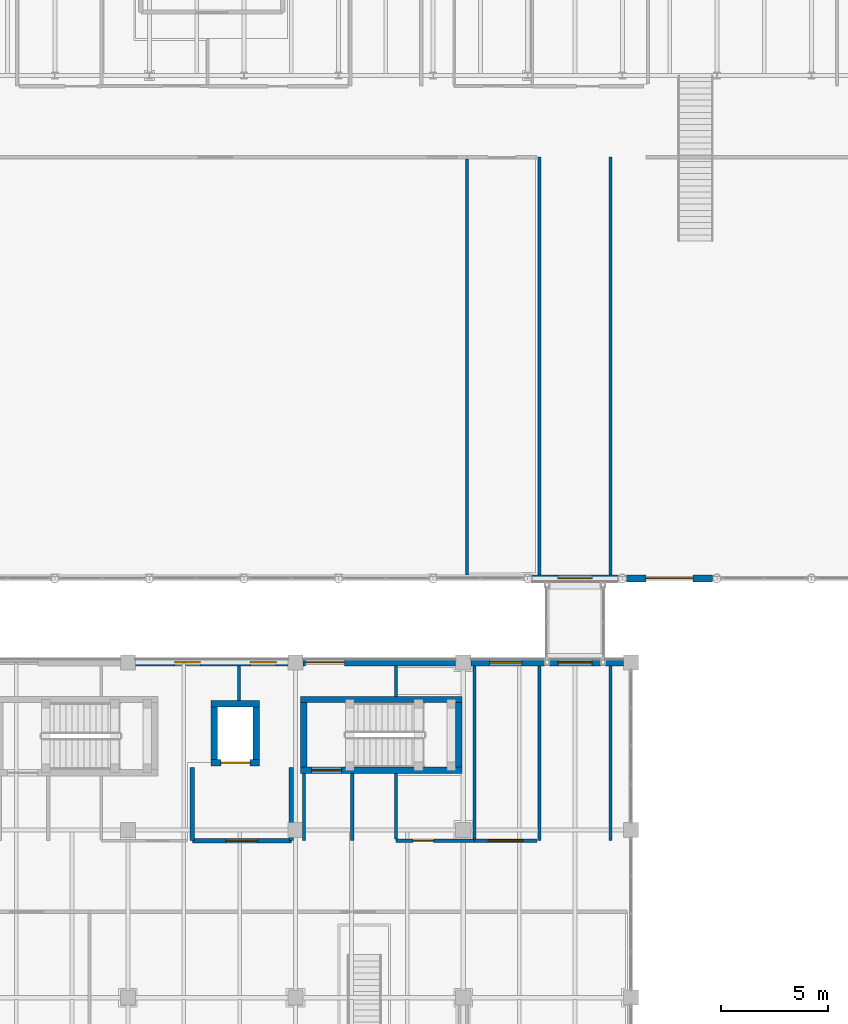
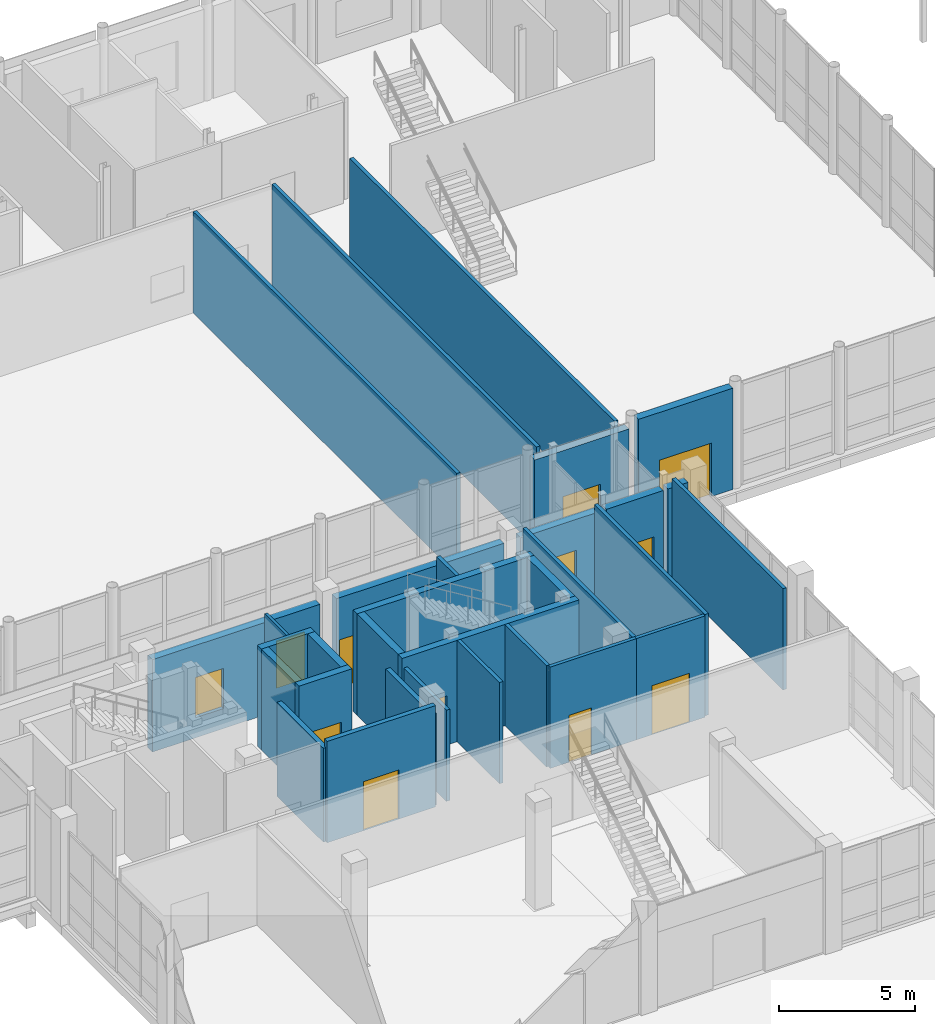
# One storey, part 96 of 131: 31 walls, 9 doors, 3 windows, 12 openings.
"""IFC4 building model written with IfcOpenShell, lengths in metres."""

from ifc_helpers import new_model, si_unit, direction, frame, frame_2d, origin, place, context, subcontext, project, spatial, rectangle, extrude, material, layer, layer_set, type_object, element, fill, save


model = new_model("IFC4")

# Units and contexts
model_context = context("Model", 3, precision=1e-05, world=origin(), true_north=direction((0.0, 1.0)))
body_context = subcontext(model_context, "Body", "Model", "MODEL_VIEW")
ifc_project = project(units=[si_unit("LENGTHUNIT", "METRE"), si_unit("AREAUNIT", "SQUARE_METRE"), si_unit("VOLUMEUNIT", "CUBIC_METRE"), si_unit("PLANEANGLEUNIT", "RADIAN"), si_unit("MASSUNIT", "GRAM", prefix="KILO")], contexts=[model_context])

# Site, building, storey
site_placement = place(None, origin())
site = spatial("IfcSite", under=ifc_project, at=site_placement, CompositionType="ELEMENT")
building_placement = place(site_placement, origin())
building = spatial("IfcBuilding", under=site, at=building_placement, Name="Celorna Specialist Clinic", CompositionType="ELEMENT")
storey_placement = place(building_placement, origin())
storey = spatial("IfcBuildingStorey", under=building, at=storey_placement, Name="L00", CompositionType="ELEMENT", Elevation=0.0)

# Wall, opening, door
ifc_material_1 = material(Name="Pero Pinheiro Lioz limestone insulated masonry", Category="masonry")
ifc_layer_1 = layer(ifc_material_1, 0.340087890625, Name="Pero Pinheiro Lioz limestone insulated masonry")
ifc_layer_set_1 = layer_set([ifc_layer_1], Name="Pero Pinheiro Lioz limestone insulated masonry")
wall_type_1 = type_object("IfcWallType", Name="WT-07", PredefinedType="STANDARD", material=ifc_layer_set_1)
wall_1_placement = place(storey_placement, frame((85.19677734375, 46.800048828125, 0.0), z_axis=(0.0, 0.0, 1.0), x_axis=(-1.0, 0.0, 0.0)))
wall_1 = element("IfcWall", 1, at=wall_1_placement, inside=storey, type_object=wall_type_1, Name="External facade wall WT-07 #78", PredefinedType="STANDARD", context=body_context, shape_type="SweptSolid", body=[
    extrude(rectangle(XDim=3.99365234375, YDim=0.340087890625, at=frame_2d((1.996826171875, 0.0))), origin(), (0.0, 0.0, 1.0), 4.260009765625),
])
opening_1_placement = place(wall_1_placement, frame((1.19677734375, 0.0, 0.0)))
opening_1 = element("IfcOpeningElement", 2, at=opening_1_placement, cuts=wall_1, Name="Opening DR-12", PredefinedType="OPENING", context=body_context, shape_type="SweptSolid", body=[
    extrude(rectangle(XDim=1.60009765625, YDim=2.199951171875, at=frame_2d((0.800048828125, 1.10009765625))), frame((0.0, 0.179931640625, 0.0), z_axis=(0.0, -1.0, 0.0), x_axis=(1.0, 0.0, 0.0)), (0.0, 0.0, 1.0), 0.360107421875),
])
ifc_material_2 = material(Name="Corridor cross-compartment pair door")
door_type_1 = type_object("IfcDoorType", Name="DR-12", OperationType="DOUBLE_DOOR_SINGLE_SWING", PredefinedType="DOOR", material=ifc_material_2)
door_1_placement = place(opening_1_placement, frame((1.60009765625, 0.0, 0.0), z_axis=(0.0, 0.0, 1.0), x_axis=(-1.0, 0.0, 0.0)))
door_1 = element("IfcDoor", 3, at=door_1_placement, inside=storey, type_object=door_type_1, Name="Bridge BR-03 north/east portal door L00", OperationType="DOUBLE_DOOR_SINGLE_SWING", OverallHeight=2.199951171875, OverallWidth=1.60009765625, PredefinedType="DOOR", context=body_context, shape_type="SweptSolid", body=[
    extrude(rectangle(XDim=1.60009765625, YDim=2.199951171875, at=frame_2d((0.800048828125, 1.10009765625))), frame((0.0, 0.02490234375, 0.0), z_axis=(0.0, -1.0, 0.0), x_axis=(1.0, 0.0, 0.0)), (0.0, 0.0, 1.0), 0.050048828125),
])
fill(opening_1, door_1)

wall_2_placement = place(storey_placement, frame((89.5966796875, 46.800048828125, 0.0), z_axis=(0.0, 0.0, 1.0), x_axis=(-1.0, 0.0, 0.0)))
wall_2 = element("IfcWall", 4, at=wall_2_placement, inside=storey, type_object=wall_type_1, Name="External facade wall WT-07 #79", PredefinedType="STANDARD", context=body_context, shape_type="SweptSolid", body=[
    extrude(rectangle(XDim=3.993408203125, YDim=0.340087890625, at=frame_2d((1.99658203125, 0.0))), origin(), (0.0, 0.0, 1.0), 4.5400390625),
])
opening_2_placement = place(wall_2_placement, frame((0.896728515625, 0.0, 0.0)))
opening_2 = element("IfcOpeningElement", 5, at=opening_2_placement, cuts=wall_2, Name="Opening DR-15", PredefinedType="OPENING", context=body_context, shape_type="SweptSolid", body=[
    extrude(rectangle(XDim=2.199951171875, YDim=2.39990234375, at=frame_2d((1.10009765625, 1.199951171875))), frame((0.0, 0.179931640625, 0.0), z_axis=(0.0, -1.0, 0.0), x_axis=(1.0, 0.0, 0.0)), (0.0, 0.0, 1.0), 0.360107421875),
])
ifc_material_3 = material(Name="Cloister entrance glazed double door")
door_type_2 = type_object("IfcDoorType", Name="DR-15", OperationType="DOUBLE_DOOR_SINGLE_SWING", PredefinedType="DOOR", material=ifc_material_3)
door_2_placement = place(opening_2_placement, origin())
door_2 = element("IfcDoor", 6, at=door_2_placement, inside=storey, type_object=door_type_2, Name="Cloister hall entrance E16", OperationType="DOUBLE_DOOR_SINGLE_SWING", OverallHeight=2.39990234375, OverallWidth=2.199951171875, PredefinedType="DOOR", context=body_context, shape_type="SweptSolid", body=[
    extrude(rectangle(XDim=2.199951171875, YDim=2.39990234375, at=frame_2d((1.10009765625, 1.199951171875))), frame((0.0, 0.02490234375, 0.0), z_axis=(0.0, -1.0, 0.0), x_axis=(1.0, 0.0, 0.0)), (0.0, 0.0, 1.0), 0.050048828125),
])
fill(opening_2, door_2)

# Wall, openings, windows
wall_3_placement = place(storey_placement, frame((62.75, 42.89990234375, 0.0), z_axis=(0.0, 0.0, 1.0), x_axis=(1.0, 0.0, 0.0)))
wall_3 = element("IfcWall", 7, at=wall_3_placement, inside=storey, type_object=wall_type_1, Name="External facade wall WT-07 #381", PredefinedType="STANDARD", context=body_context, shape_type="SweptSolid", body=[
    extrude(rectangle(XDim=7.10009765625, YDim=0.340087890625, at=frame_2d((3.550048828125, 0.0))), origin(), (0.0, 0.0, 1.0), 4.139892578125),
])
opening_3_placement = place(wall_3_placement, frame((1.820068359375, 0.0, 0.89990234375)))
opening_3 = element("IfcOpeningElement", 8, at=opening_3_placement, cuts=wall_3, Name="Opening WN-05", PredefinedType="OPENING", context=body_context, shape_type="SweptSolid", body=[
    extrude(rectangle(XDim=1.199951171875, YDim=1.800048828125, at=frame_2d((0.60009765625, 0.89990234375))), frame((0.0, 0.179931640625, 0.0), z_axis=(0.0, -1.0, 0.0), x_axis=(1.0, 0.0, 0.0)), (0.0, 0.0, 1.0), 0.360107421875),
])
opening_4_placement = place(wall_3_placement, frame((5.35009765625, 0.0, 0.89990234375)))
opening_4 = element("IfcOpeningElement", 9, at=opening_4_placement, cuts=wall_3, Name="Opening WN-06", PredefinedType="OPENING", context=body_context, shape_type="SweptSolid", body=[
    extrude(rectangle(XDim=1.199951171875, YDim=2.10009765625, at=frame_2d((0.60009765625, 1.050048828125))), frame((0.0, 0.179931640625, 0.0), z_axis=(0.0, -1.0, 0.0), x_axis=(1.0, 0.0, 0.0)), (0.0, 0.0, 1.0), 0.360107421875),
])
ifc_material_4 = material(Name="Thermally broken aluminium triple-glazed window", Category="aluminium")
window_type_1 = type_object("IfcWindowType", Name="WN-05", PartitioningType="SINGLE_PANEL", PredefinedType="WINDOW", material=ifc_material_4)
window_1_placement = place(opening_3_placement, origin())
window_1 = element("IfcWindow", 10, at=window_1_placement, inside=storey, type_object=window_type_1, Name="Facade window WN-05 #244", OverallHeight=1.800048828125, OverallWidth=1.199951171875, PartitioningType="SINGLE_PANEL", PredefinedType="WINDOW", context=body_context, shape_type="SweptSolid", body=[
    extrude(rectangle(XDim=1.199951171875, YDim=1.800048828125, at=frame_2d((0.60009765625, 0.89990234375))), frame((0.0, 0.030029296875, 0.0), z_axis=(0.0, -1.0, 0.0), x_axis=(1.0, 0.0, 0.0)), (0.0, 0.0, 1.0), 0.06005859375),
])
fill(opening_3, window_1)
window_type_2 = type_object("IfcWindowType", Name="WN-06", PartitioningType="SINGLE_PANEL", PredefinedType="WINDOW", material=ifc_material_4)
window_2_placement = place(opening_4_placement, origin())
window_2 = element("IfcWindow", 11, at=window_2_placement, inside=storey, type_object=window_type_2, Name="Facade window WN-06 #245", OverallHeight=2.10009765625, OverallWidth=1.199951171875, PartitioningType="SINGLE_PANEL", PredefinedType="WINDOW", context=body_context, shape_type="SweptSolid", body=[
    extrude(rectangle(XDim=1.199951171875, YDim=2.10009765625, at=frame_2d((0.60009765625, 1.050048828125))), frame((0.0, 0.030029296875, 0.0), z_axis=(0.0, -1.0, 0.0), x_axis=(1.0, 0.0, 0.0)), (0.0, 0.0, 1.0), 0.06005859375),
])
fill(opening_4, window_2)

# Wall, opening, door
wall_4_placement = place(storey_placement, frame((70.550048828125, 42.89990234375, 0.0), z_axis=(0.0, 0.0, 1.0), x_axis=(1.0, 0.0, 0.0)))
wall_4 = element("IfcWall", 12, at=wall_4_placement, inside=storey, type_object=wall_type_1, Name="External facade wall WT-07 #382", PredefinedType="STANDARD", context=body_context, shape_type="SweptSolid", body=[
    extrude(rectangle(XDim=7.099853515625, YDim=0.340087890625, at=frame_2d((3.5498046875, 0.0))), origin(), (0.0, 0.0, 1.0), 4.139892578125),
])
opening_5_placement = place(wall_4_placement, frame((0.1201171875, 0.0, 0.0)))
opening_5 = element("IfcOpeningElement", 13, at=opening_5_placement, cuts=wall_4, Name="Opening DR-14", PredefinedType="OPENING", context=body_context, shape_type="SweptSolid", body=[
    extrude(rectangle(XDim=1.800048828125, YDim=2.25, at=frame_2d((0.89990234375, 1.125))), frame((0.0, 0.179931640625, 0.0), z_axis=(0.0, -1.0, 0.0), x_axis=(1.0, 0.0, 0.0)), (0.0, 0.0, 1.0), 0.360107421875),
])
ifc_material_5 = material(Name="Glazed aluminium final exit double door", Category="aluminium")
door_type_3 = type_object("IfcDoorType", Name="DR-14", OperationType="DOUBLE_DOOR_SINGLE_SWING", PredefinedType="DOOR", material=ifc_material_5)
door_3_placement = place(opening_5_placement, origin())
door_3 = element("IfcDoor", 14, at=door_3_placement, inside=storey, type_object=door_type_3, Name="Pedestrian final exit E09", OperationType="DOUBLE_DOOR_SINGLE_SWING", OverallHeight=2.25, OverallWidth=1.800048828125, PredefinedType="DOOR", context=body_context, shape_type="SweptSolid", body=[
    extrude(rectangle(XDim=1.800048828125, YDim=2.25, at=frame_2d((0.89990234375, 1.125))), frame((0.0, 0.02490234375, 0.0), z_axis=(0.0, -1.0, 0.0), x_axis=(1.0, 0.0, 0.0)), (0.0, 0.0, 1.0), 0.050048828125),
])
fill(opening_5, door_3)

# Wall, opening, window
wall_5_placement = place(storey_placement, frame((78.35009765625, 42.89990234375, 0.0), z_axis=(0.0, 0.0, 1.0), x_axis=(1.0, 0.0, 0.0)))
wall_5 = element("IfcWall", 15, at=wall_5_placement, inside=storey, type_object=wall_type_1, Name="External facade wall WT-07 #383", PredefinedType="STANDARD", context=body_context, shape_type="SweptSolid", body=[
    extrude(rectangle(XDim=3.449951171875, YDim=0.340087890625, at=frame_2d((1.72509765625, 0.0))), origin(), (0.0, 0.0, 1.0), 4.139892578125),
])
opening_6_placement = place(wall_5_placement, frame((0.875, 0.0, 0.89990234375)))
opening_6 = element("IfcOpeningElement", 16, at=opening_6_placement, cuts=wall_5, Name="Opening WN-09", PredefinedType="OPENING", context=body_context, shape_type="SweptSolid", body=[
    extrude(rectangle(XDim=1.5, YDim=1.85009765625, at=frame_2d((0.75, 0.925048828125))), frame((0.0, 0.179931640625, 0.0), z_axis=(0.0, -1.0, 0.0), x_axis=(1.0, 0.0, 0.0)), (0.0, 0.0, 1.0), 0.360107421875),
])
window_type_3 = type_object("IfcWindowType", Name="WN-09", PartitioningType="SINGLE_PANEL", PredefinedType="WINDOW", material=ifc_material_4)
window_3_placement = place(opening_6_placement, origin())
window_3 = element("IfcWindow", 17, at=window_3_placement, inside=storey, type_object=window_type_3, Name="Facade window WN-09 #246", OverallHeight=1.85009765625, OverallWidth=1.5, PartitioningType="SINGLE_PANEL", PredefinedType="WINDOW", context=body_context, shape_type="SweptSolid", body=[
    extrude(rectangle(XDim=1.5, YDim=1.85009765625, at=frame_2d((0.75, 0.925048828125))), frame((0.0, 0.030029296875, 0.0), z_axis=(0.0, -1.0, 0.0), x_axis=(1.0, 0.0, 0.0)), (0.0, 0.0, 1.0), 0.06005859375),
])
fill(opening_6, window_3)

# Wall, opening, door
wall_6_placement = place(storey_placement, frame((82.0, 42.89990234375, 0.0), z_axis=(0.0, 0.0, 1.0), x_axis=(1.0, 0.0, 0.0)))
wall_6 = element("IfcWall", 18, at=wall_6_placement, inside=storey, type_object=wall_type_1, Name="External facade wall WT-07 #384", PredefinedType="STANDARD", context=body_context, shape_type="SweptSolid", body=[
    extrude(rectangle(XDim=2.39990234375, YDim=0.340087890625, at=frame_2d((1.199951171875, 0.0))), origin(), (0.0, 0.0, 1.0), 4.139892578125),
])
opening_7_placement = place(wall_6_placement, frame((0.39990234375, 0.0, 0.0)))
opening_7 = element("IfcOpeningElement", 19, at=opening_7_placement, cuts=wall_6, Name="Opening DR-12", PredefinedType="OPENING", context=body_context, shape_type="SweptSolid", body=[
    extrude(rectangle(XDim=1.60009765625, YDim=2.199951171875, at=frame_2d((0.800048828125, 1.10009765625))), frame((0.0, 0.179931640625, 0.0), z_axis=(0.0, -1.0, 0.0), x_axis=(1.0, 0.0, 0.0)), (0.0, 0.0, 1.0), 0.360107421875),
])
door_4_placement = place(opening_7_placement, origin())
door_4 = element("IfcDoor", 20, at=door_4_placement, inside=storey, type_object=door_type_1, Name="Bridge BR-03 south/west portal door L00", OperationType="DOUBLE_DOOR_SINGLE_SWING", OverallHeight=2.199951171875, OverallWidth=1.60009765625, PredefinedType="DOOR", context=body_context, shape_type="SweptSolid", body=[
    extrude(rectangle(XDim=1.60009765625, YDim=2.199951171875, at=frame_2d((0.800048828125, 1.10009765625))), frame((0.0, 0.02490234375, 0.0), z_axis=(0.0, -1.0, 0.0), x_axis=(1.0, 0.0, 0.0)), (0.0, 0.0, 1.0), 0.050048828125),
])
fill(opening_7, door_4)

# Wall
wall_7_placement = place(storey_placement, frame((84.60009765625, 42.89990234375, 0.0), z_axis=(0.0, 0.0, 1.0), x_axis=(1.0, 0.0, 0.0)))
element("IfcWall", 21, at=wall_7_placement, inside=storey, type_object=wall_type_1, Name="External facade wall WT-07 #385", PredefinedType="STANDARD", context=body_context, shape_type="SweptSolid", body=[
    extrude(rectangle(XDim=0.849853515625, YDim=0.340087890625, at=frame_2d((0.4248046875, 0.0))), origin(), (0.0, 0.0, 1.0), 4.139892578125),
])

# Wall, opening, door
ifc_material_6 = material(Name="Concrete C35/45", Category="concrete")
ifc_layer_2 = layer(ifc_material_6, 0.300048828125, Name="Concrete C35/45")
ifc_layer_set_2 = layer_set([ifc_layer_2], Name="Concrete C35/45")
wall_type_2 = type_object("IfcWallType", Name="WT-08", PredefinedType="SHEAR", material=ifc_layer_set_2)
wall_8_placement = place(storey_placement, frame((70.43994140625, 37.8701171875, 0.0), z_axis=(0.0, 0.0, 1.0), x_axis=(1.0, 0.0, 0.0)))
wall_8 = element("IfcWall", 22, at=wall_8_placement, inside=storey, type_object=wall_type_2, Name="Stair ST-09 RC core wall L00 south", PredefinedType="SHEAR", context=body_context, shape_type="SweptSolid", body=[
    extrude(rectangle(XDim=7.5, YDim=0.300048828125, at=frame_2d((3.75, 0.0))), origin(), (0.0, 0.0, 1.0), 4.5400390625),
])
opening_8_placement = place(wall_8_placement, frame((0.5, 0.0, 0.0)))
opening_8 = element("IfcOpeningElement", 23, at=opening_8_placement, cuts=wall_8, Name="Opening DR-10", PredefinedType="OPENING", context=body_context, shape_type="SweptSolid", body=[
    extrude(rectangle(XDim=1.39990234375, YDim=2.199951171875, at=frame_2d((0.699951171875, 1.10009765625))), frame((0.0, 0.159912109375, 0.0), z_axis=(0.0, -1.0, 0.0), x_axis=(1.0, 0.0, 0.0)), (0.0, 0.0, 1.0), 0.320068359375),
])
ifc_material_7 = material(Name="Protected exit stair fire door")
door_type_4 = type_object("IfcDoorType", Name="DR-10", OperationType="NOTDEFINED", PredefinedType="DOOR", material=ifc_material_7)
door_5_placement = place(opening_8_placement, origin())
door_5 = element("IfcDoor", 24, at=door_5_placement, inside=storey, type_object=door_type_4, Name="Protected exit stair door ST-09 L00", OperationType="SINGLE_SWING_RIGHT", OverallHeight=2.199951171875, OverallWidth=1.39990234375, PredefinedType="DOOR", context=body_context, shape_type="SweptSolid", body=[
    extrude(rectangle(XDim=1.39990234375, YDim=2.199951171875, at=frame_2d((0.699951171875, 1.10009765625))), frame((0.0, 0.02490234375, 0.0), z_axis=(0.0, -1.0, 0.0), x_axis=(1.0, 0.0, 0.0)), (0.0, 0.0, 1.0), 0.050048828125),
])
fill(opening_8, door_5)

# Walls
wall_9_placement = place(storey_placement, frame((77.93994140625, 41.169921875, 0.0), z_axis=(0.0, 0.0, 1.0), x_axis=(-1.0, 0.0, 0.0)))
element("IfcWall", 25, at=wall_9_placement, inside=storey, type_object=wall_type_2, Name="Stair ST-09 RC core wall L00 north", PredefinedType="SHEAR", context=body_context, shape_type="SweptSolid", body=[
    extrude(rectangle(XDim=7.5, YDim=0.300048828125, at=frame_2d((3.75, 0.0))), origin(), (0.0, 0.0, 1.0), 4.5400390625),
])
for number, where, z_axis, x_axis, name in (
    (26, (70.590087890625, 41.02001953125, 0.0), (0.0, 0.0, 1.0), (0.0, -1.0, 0.0), "Stair ST-09 RC core wall L00 west"),
    (27, (77.7900390625, 38.02001953125, 0.0), (0.0, 0.0, 1.0), (0.0, 1.0, 0.0), "Stair ST-09 RC core wall L00 east"),
):
    element("IfcWall", number, at=place(storey_placement, frame(where, z_axis=z_axis, x_axis=x_axis)), inside=storey, type_object=wall_type_2, Name=name, PredefinedType="SHEAR", context=body_context, shape_type="SweptSolid", body=[
        extrude(rectangle(XDim=3.0, YDim=0.300048828125, at=frame_2d((1.5, 0.0))), origin(), (0.0, 0.0, 1.0), 4.5400390625),
    ])

# Wall, opening, door
wall_10_placement = place(storey_placement, frame((66.27490234375, 38.22509765625, 0.0), z_axis=(0.0, 0.0, 1.0), x_axis=(1.0, 0.0, 0.0)))
wall_10 = element("IfcWall", 28, at=wall_10_placement, inside=storey, type_object=wall_type_2, Name="Lift LF-07 RC shaft wall L00", PredefinedType="SHEAR", context=body_context, shape_type="SweptSolid", body=[
    extrude(rectangle(XDim=2.25, YDim=0.300048828125, at=frame_2d((1.125, 0.0))), origin(), (0.0, 0.0, 1.0), 4.5400390625),
])
opening_9_placement = place(wall_10_placement, frame((0.449951171875, 0.0, 0.0)))
opening_9 = element("IfcOpeningElement", 29, at=opening_9_placement, cuts=wall_10, Name="Opening LD-02", PredefinedType="OPENING", context=body_context, shape_type="SweptSolid", body=[
    extrude(rectangle(XDim=1.35009765625, YDim=2.300048828125, at=frame_2d((0.675048828125, 1.14990234375))), frame((0.0, 0.159912109375, 0.0), z_axis=(0.0, -1.0, 0.0), x_axis=(1.0, 0.0, 0.0)), (0.0, 0.0, 1.0), 0.320068359375),
])
ifc_material_8 = material(Name="Firefighting stretcher lift landing sliding door")
door_type_5 = type_object("IfcDoorType", Name="LD-02", OperationType="DOUBLE_DOOR_SLIDING", PredefinedType="DOOR", material=ifc_material_8)
door_6_placement = place(opening_9_placement, origin())
door_6 = element("IfcDoor", 30, at=door_6_placement, inside=storey, type_object=door_type_5, Name="Lift LF-07 sliding landing door L00", OperationType="DOUBLE_DOOR_SLIDING", OverallHeight=2.300048828125, OverallWidth=1.35009765625, PredefinedType="DOOR", context=body_context, shape_type="SweptSolid", body=[
    extrude(rectangle(XDim=1.35009765625, YDim=2.300048828125, at=frame_2d((0.675048828125, 1.14990234375))), frame((0.0, 0.02490234375, 0.0), z_axis=(0.0, -1.0, 0.0), x_axis=(1.0, 0.0, 0.0)), (0.0, 0.0, 1.0), 0.050048828125),
])
fill(opening_9, door_6)

# Walls
wall_11_placement = place(storey_placement, frame((68.52490234375, 40.97509765625, 0.0), z_axis=(0.0, 0.0, 1.0), x_axis=(-1.0, 0.0, 0.0)))
element("IfcWall", 31, at=wall_11_placement, inside=storey, type_object=wall_type_2, Name="Lift LF-07 RC shaft wall L00", PredefinedType="SHEAR", context=body_context, shape_type="SweptSolid", body=[
    extrude(rectangle(XDim=2.25, YDim=0.300048828125, at=frame_2d((1.125, 0.0))), origin(), (0.0, 0.0, 1.0), 4.5400390625),
])
for number, where, z_axis, x_axis, name in (
    (32, (66.425048828125, 40.824951171875, 0.0), (0.0, 0.0, 1.0), (0.0, -1.0, 0.0), "Lift LF-07 RC shaft wall L00"),
    (33, (68.375, 38.375, 0.0), (0.0, 0.0, 1.0), (0.0, 1.0, 0.0), "Lift LF-07 RC shaft wall L00"),
):
    element("IfcWall", number, at=place(storey_placement, frame(where, z_axis=z_axis, x_axis=x_axis)), inside=storey, type_object=wall_type_2, Name=name, PredefinedType="SHEAR", context=body_context, shape_type="SweptSolid", body=[
        extrude(rectangle(XDim=2.449951171875, YDim=0.300048828125, at=frame_2d((1.22509765625, 0.0))), origin(), (0.0, 0.0, 1.0), 4.5400390625),
    ])

# Wall, opening, door
ifc_layer_3 = layer(ifc_material_6, 0.199951171875, Name="Concrete C35/45")
ifc_layer_set_3 = layer_set([ifc_layer_3], Name="Concrete C35/45")
wall_type_3 = type_object("IfcWallType", Name="WT-12", PredefinedType="SOLIDWALL", material=ifc_layer_set_3)
wall_12_placement = place(storey_placement, frame((65.39990234375, 34.60009765625, 0.0), z_axis=(0.0, 0.0, 1.0), x_axis=(1.0, 0.0, 0.0)))
wall_12 = element("IfcWall", 34, at=wall_12_placement, inside=storey, type_object=wall_type_3, Name="Firefighting lobby wall LF-07 L00", PredefinedType="SOLIDWALL", context=body_context, shape_type="SweptSolid", body=[
    extrude(rectangle(XDim=4.60009765625, YDim=0.199951171875, at=frame_2d((2.300048828125, 0.0))), origin(), (0.0, 0.0, 1.0), 4.5400390625),
])
opening_10_placement = place(wall_12_placement, frame((1.550048828125, 0.0, 0.0)))
opening_10 = element("IfcOpeningElement", 35, at=opening_10_placement, cuts=wall_12, Name="Opening DR-11", PredefinedType="OPENING", context=body_context, shape_type="SweptSolid", body=[
    extrude(rectangle(XDim=1.5, YDim=2.199951171875, at=frame_2d((0.75, 1.10009765625))), frame((0.0, 0.10986328125, 0.0), z_axis=(0.0, -1.0, 0.0), x_axis=(1.0, 0.0, 0.0)), (0.0, 0.0, 1.0), 0.219970703125),
])
ifc_material_9 = material(Name="Firefighting lobby double fire door")
door_type_6 = type_object("IfcDoorType", Name="DR-11", OperationType="DOUBLE_DOOR_SINGLE_SWING", PredefinedType="DOOR", material=ifc_material_9)
door_7_placement = place(opening_10_placement, origin())
door_7 = element("IfcDoor", 36, at=door_7_placement, inside=storey, type_object=door_type_6, Name="Firefighting lobby fire door LF-07 L00", OperationType="DOUBLE_DOOR_SINGLE_SWING", OverallHeight=2.199951171875, OverallWidth=1.5, PredefinedType="DOOR", context=body_context, shape_type="SweptSolid", body=[
    extrude(rectangle(XDim=1.5, YDim=2.199951171875, at=frame_2d((0.75, 1.10009765625))), frame((0.0, 0.02490234375, 0.0), z_axis=(0.0, -1.0, 0.0), x_axis=(1.0, 0.0, 0.0)), (0.0, 0.0, 1.0), 0.050048828125),
])
fill(opening_10, door_7)

# Walls
wall_13_placement = place(storey_placement, frame((65.39990234375, 38.0, 0.0), z_axis=(0.0, 0.0, 1.0), x_axis=(0.0, -1.0, 0.0)))
element("IfcWall", 37, at=wall_13_placement, inside=storey, type_object=wall_type_3, Name="Firefighting lobby wall LF-07 L00", PredefinedType="SOLIDWALL", context=body_context, shape_type="SweptSolid", body=[
    extrude(rectangle(XDim=3.39990234375, YDim=0.199951171875, at=frame_2d((1.699951171875, 0.0))), origin(), (0.0, 0.0, 1.0), 4.2099609375),
])
wall_14_placement = place(storey_placement, frame((70.0, 34.60009765625, 0.0), z_axis=(0.0, 0.0, 1.0), x_axis=(0.0, 1.0, 0.0)))
element("IfcWall", 38, at=wall_14_placement, inside=storey, type_object=wall_type_3, Name="Firefighting lobby wall LF-07 L00", PredefinedType="SOLIDWALL", context=body_context, shape_type="SweptSolid", body=[
    extrude(rectangle(XDim=3.39990234375, YDim=0.199951171875, at=frame_2d((1.699951171875, 0.0))), origin(), (0.0, 0.0, 1.0), 4.090087890625),
])
ifc_material_10 = material(Name="Fire-rated gypsum board partition")
ifc_layer_4 = layer(ifc_material_10, 0.14990234375, Name="Fire-rated gypsum board partition")
ifc_layer_set_4 = layer_set([ifc_layer_4], Name="Fire-rated gypsum board partition")
wall_type_4 = type_object("IfcWallType", Name="WT-14", PredefinedType="PARTITIONING", material=ifc_layer_set_4)
for number, where, z_axis, x_axis, name in (
    (39, (81.550048828125, 46.969970703125, 0.0), (0.0, 0.0, 1.0), (0.0, 1.0, 0.0), "Corridor spur partition WT-14"),
    (40, (84.85009765625, 46.969970703125, 0.0), (0.0, 0.0, 1.0), (0.0, 1.0, 0.0), "Corridor spur partition WT-14"),
):
    element("IfcWall", number, at=place(storey_placement, frame(where, z_axis=z_axis, x_axis=x_axis)), inside=storey, type_object=wall_type_4, Name=name, PredefinedType="PARTITIONING", context=body_context, shape_type="SweptSolid", body=[
        extrude(rectangle(XDim=19.429931640625, YDim=0.14990234375, at=frame_2d((9.71484375, 0.0))), origin(), (0.0, 0.0, 1.0), 4.5400390625),
    ])
wall_15_placement = place(storey_placement, frame((70.590087890625, 34.60009765625, 0.0), z_axis=(0.0, 0.0, 1.0), x_axis=(0.0, 1.0, 0.0)))
element("IfcWall", 41, at=wall_15_placement, inside=storey, type_object=wall_type_4, Name="Corridor spur partition WT-14", PredefinedType="PARTITIONING", context=body_context, shape_type="SweptSolid", body=[
    extrude(rectangle(XDim=3.119873046875, YDim=0.14990234375, at=frame_2d((1.56005859375, 0.0))), origin(), (0.0, 0.0, 1.0), 4.090087890625),
])
wall_16_placement = place(storey_placement, frame((72.840087890625, 34.60009765625, 0.0), z_axis=(0.0, 0.0, 1.0), x_axis=(0.0, 1.0, 0.0)))
element("IfcWall", 42, at=wall_16_placement, inside=storey, type_object=wall_type_4, Name="Corridor spur partition WT-14", PredefinedType="PARTITIONING", context=body_context, shape_type="SweptSolid", body=[
    extrude(rectangle(XDim=3.119873046875, YDim=0.14990234375, at=frame_2d((1.56005859375, 0.0))), origin(), (0.0, 0.0, 1.0), 4.5400390625),
])
for number, where, z_axis, x_axis, name in (
    (43, (81.550048828125, 34.60009765625, 0.0), (0.0, 0.0, 1.0), (0.0, 1.0, 0.0), "Corridor spur partition WT-14"),
    (44, (84.85009765625, 34.60009765625, 0.0), (0.0, 0.0, 1.0), (0.0, 1.0, 0.0), "Corridor spur partition WT-14"),
):
    element("IfcWall", number, at=place(storey_placement, frame(where, z_axis=z_axis, x_axis=x_axis)), inside=storey, type_object=wall_type_4, Name=name, PredefinedType="PARTITIONING", context=body_context, shape_type="SweptSolid", body=[
        extrude(rectangle(XDim=8.1298828125, YDim=0.14990234375, at=frame_2d((4.06494140625, 0.0))), origin(), (0.0, 0.0, 1.0), 4.5400390625),
    ])

# Wall, opening, door
wall_17_placement = place(storey_placement, frame((74.8701171875, 34.60009765625, 0.0), z_axis=(0.0, 0.0, 1.0), x_axis=(1.0, 0.0, 0.0)))
wall_17 = element("IfcWall", 45, at=wall_17_placement, inside=storey, type_object=wall_type_4, Name="Interior partition WT-14 L00-105", PredefinedType="PARTITIONING", context=body_context, shape_type="SweptSolid", body=[
    extrude(rectangle(XDim=3.64990234375, YDim=0.14990234375, at=frame_2d((1.824951171875, 0.0))), origin(), (0.0, 0.0, 1.0), 4.5400390625),
])
opening_11_placement = place(wall_17_placement, frame((0.802490234375, 0.0, 0.0)))
opening_11 = element("IfcOpeningElement", 46, at=opening_11_placement, cuts=wall_17, Name="Opening DR-03", PredefinedType="OPENING", context=body_context, shape_type="SweptSolid", body=[
    extrude(rectangle(XDim=0.949951171875, YDim=2.10009765625, at=frame_2d((0.47509765625, 1.050048828125))), frame((0.0, 0.0849609375, 0.0), z_axis=(0.0, -1.0, 0.0), x_axis=(1.0, 0.0, 0.0)), (0.0, 0.0, 1.0), 0.169921875),
])
ifc_material_11 = material(Name="Moisture-resistant accessible WC door")
door_type_7 = type_object("IfcDoorType", Name="DR-03", OperationType="NOTDEFINED", PredefinedType="DOOR", material=ifc_material_11)
door_8_placement = place(opening_11_placement, origin())
door_8 = element("IfcDoor", 47, at=door_8_placement, inside=storey, type_object=door_type_7, Name="Accessible WC door L00-105", OperationType="SINGLE_SWING_LEFT", OverallHeight=2.10009765625, OverallWidth=0.949951171875, PredefinedType="DOOR", context=body_context, shape_type="SweptSolid", body=[
    extrude(rectangle(XDim=0.949951171875, YDim=2.10009765625, at=frame_2d((0.47509765625, 1.050048828125))), frame((0.0, 0.02490234375, 0.0), z_axis=(0.0, -1.0, 0.0), x_axis=(1.0, 0.0, 0.0)), (0.0, 0.0, 1.0), 0.050048828125),
])
fill(opening_11, door_8)

wall_18_placement = place(storey_placement, frame((78.52001953125, 34.60009765625, 0.0), z_axis=(0.0, 0.0, 1.0), x_axis=(1.0, 0.0, 0.0)))
wall_18 = element("IfcWall", 48, at=wall_18_placement, inside=storey, type_object=wall_type_4, Name="Interior partition WT-14 L00-106", PredefinedType="PARTITIONING", context=body_context, shape_type="SweptSolid", body=[
    extrude(rectangle(XDim=2.909912109375, YDim=0.14990234375, at=frame_2d((1.455078125, 0.0))), origin(), (0.0, 0.0, 1.0), 4.5400390625),
])
opening_12_placement = place(wall_18_placement, frame((0.655029296875, 0.0, 0.0)))
opening_12 = element("IfcOpeningElement", 49, at=opening_12_placement, cuts=wall_18, Name="Opening DR-12", PredefinedType="OPENING", context=body_context, shape_type="SweptSolid", body=[
    extrude(rectangle(XDim=1.60009765625, YDim=2.199951171875, at=frame_2d((0.800048828125, 1.10009765625))), frame((0.0, 0.0849609375, 0.0), z_axis=(0.0, -1.0, 0.0), x_axis=(1.0, 0.0, 0.0)), (0.0, 0.0, 1.0), 0.169921875),
])
door_9_placement = place(opening_12_placement, origin())
door_9 = element("IfcDoor", 50, at=door_9_placement, inside=storey, type_object=door_type_1, Name="Patient Admissions and Reception Hall door L00-106", OperationType="DOUBLE_DOOR_SINGLE_SWING", OverallHeight=2.199951171875, OverallWidth=1.60009765625, PredefinedType="DOOR", context=body_context, shape_type="SweptSolid", body=[
    extrude(rectangle(XDim=1.60009765625, YDim=2.199951171875, at=frame_2d((0.800048828125, 1.10009765625))), frame((0.0, 0.02490234375, 0.0), z_axis=(0.0, -1.0, 0.0), x_axis=(1.0, 0.0, 0.0)), (0.0, 0.0, 1.0), 0.050048828125),
])
fill(opening_12, door_9)

# Walls
wall_19_placement = place(storey_placement, frame((78.169921875, 46.969970703125, 0.0), z_axis=(0.0, 0.0, 1.0), x_axis=(0.0, 1.0, 0.0)))
element("IfcWall", 51, at=wall_19_placement, inside=storey, type_object=wall_type_4, Name="Room dividing partition WT-14 L00-017", PredefinedType="PARTITIONING", context=body_context, shape_type="SweptSolid", body=[
    extrude(rectangle(XDim=19.35498046875, YDim=0.14990234375, at=frame_2d((9.677490234375, 0.0))), origin(), (0.0, 0.0, 1.0), 4.5400390625),
])
wall_20_placement = place(storey_placement, frame((74.8701171875, 34.675048828125, 0.0), z_axis=(0.0, 0.0, 1.0), x_axis=(0.0, 1.0, 0.0)))
element("IfcWall", 52, at=wall_20_placement, inside=storey, type_object=wall_type_4, Name="Room dividing partition WT-14 L00-105", PredefinedType="PARTITIONING", context=body_context, shape_type="SweptSolid", body=[
    extrude(rectangle(XDim=3.044921875, YDim=0.14990234375, at=frame_2d((1.5224609375, 0.0))), origin(), (0.0, 0.0, 1.0), 4.5400390625),
])
wall_21_placement = place(storey_placement, frame((74.8701171875, 41.320068359375, 0.0), z_axis=(0.0, 0.0, 1.0), x_axis=(0.0, 1.0, 0.0)))
element("IfcWall", 53, at=wall_21_placement, inside=storey, type_object=wall_type_4, Name="Room dividing partition WT-14 L00-105", PredefinedType="PARTITIONING", context=body_context, shape_type="SweptSolid", body=[
    extrude(rectangle(XDim=1.409912109375, YDim=0.14990234375, at=frame_2d((0.705078125, 0.0))), origin(), (0.0, 0.0, 1.0), 4.5400390625),
])
wall_22_placement = place(storey_placement, frame((78.52001953125, 34.675048828125, 0.0), z_axis=(0.0, 0.0, 1.0), x_axis=(0.0, 1.0, 0.0)))
element("IfcWall", 54, at=wall_22_placement, inside=storey, type_object=wall_type_4, Name="Room dividing partition WT-14 L00-105", PredefinedType="PARTITIONING", context=body_context, shape_type="SweptSolid", body=[
    extrude(rectangle(XDim=8.054931640625, YDim=0.14990234375, at=frame_2d((4.02734375, 0.0))), origin(), (0.0, 0.0, 1.0), 4.5400390625),
])
ifc_material_12 = material(Name="Acoustic gypsum board partition")
ifc_layer_5 = layer(ifc_material_12, 0.1201171875, Name="Acoustic gypsum board partition")
ifc_layer_set_5 = layer_set([ifc_layer_5], Name="Acoustic gypsum board partition")
wall_type_5 = type_object("IfcWallType", Name="WT-15", PredefinedType="PARTITIONING", material=ifc_layer_set_5)
wall_23_placement = place(storey_placement, frame((67.570068359375, 41.125, 0.0), z_axis=(0.0, 0.0, 1.0), x_axis=(0.0, 1.0, 0.0)))
element("IfcWall", 55, at=wall_23_placement, inside=storey, type_object=wall_type_5, Name="Room dividing partition WT-15 L00-104", PredefinedType="PARTITIONING", context=body_context, shape_type="SweptSolid", body=[
    extrude(rectangle(XDim=1.60498046875, YDim=0.1201171875, at=frame_2d((0.802490234375, 0.0))), origin(), (0.0, 0.0, 1.0), 4.5400390625),
])

save(model, "model.ifc")
